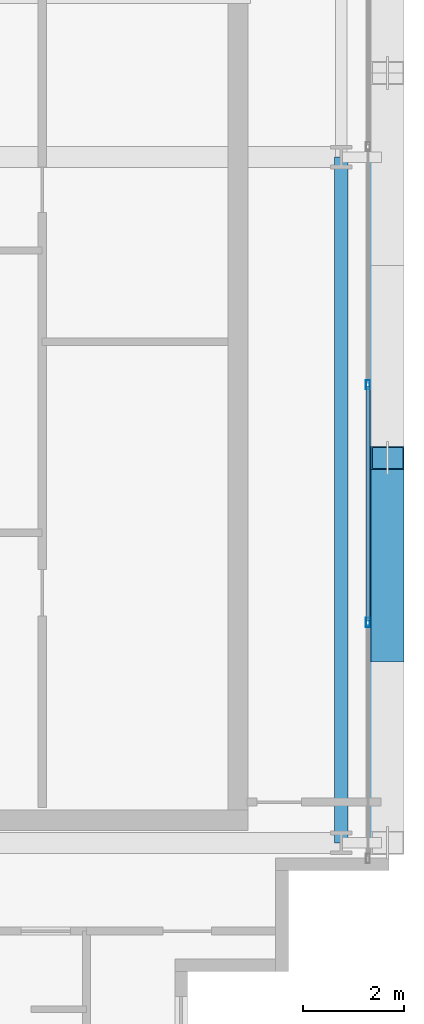
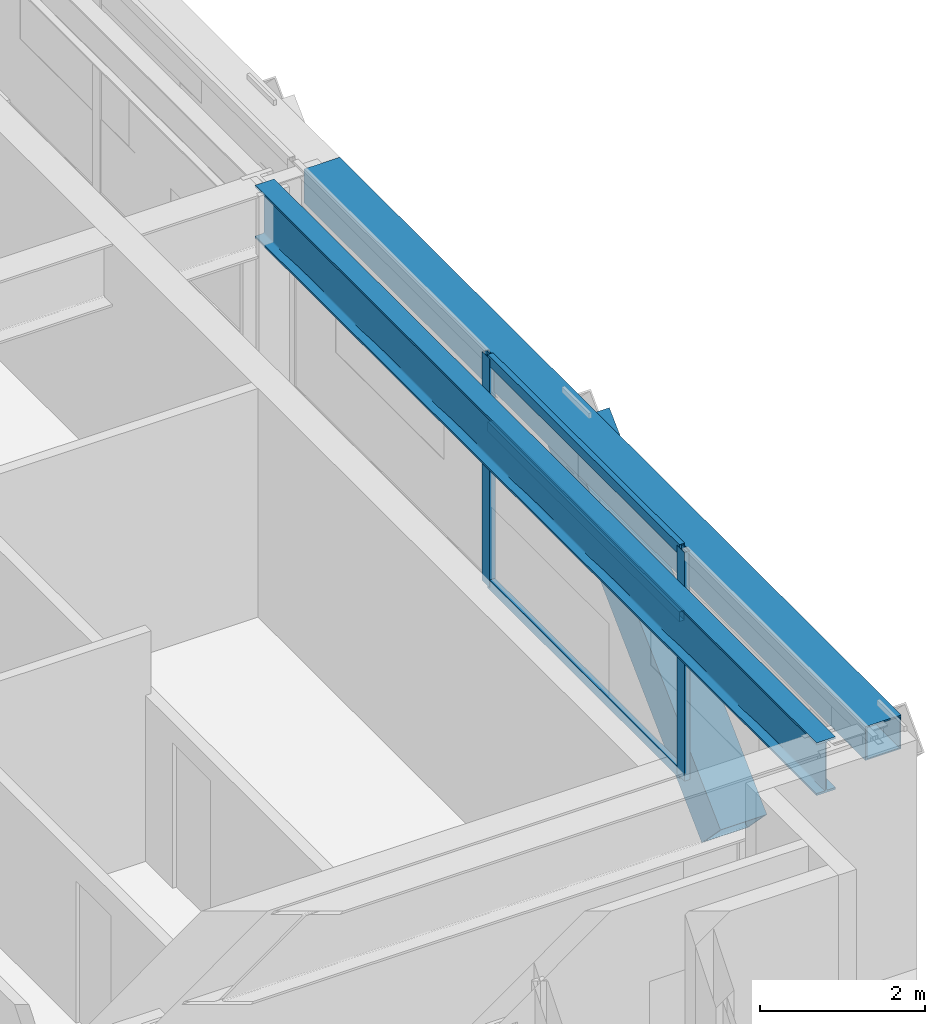
# One storey, part 12 of 29: 6 members, 2 beams, 1 element without a shape of its own.
"""IFC4 building model written with IfcOpenShell, lengths in metres."""

from ifc_helpers import new_model, si_unit, direction, frame, origin, origin_2d, place, context, subcontext, project, spatial, hollow_rectangle, i_section, extrude, source, transform, mapped, material, layer, layer_set, material_profile, profile_set, type_object, element, aggregate, save


model = new_model("IFC4")

# Units and contexts
model_context = context("Model", 3, precision=1e-05, world=origin(), true_north=direction((0.0, 1.0)))
body_context = subcontext(model_context, "Body", "Model", "MODEL_VIEW")
ifc_project = project(units=[si_unit("LENGTHUNIT", "METRE"), si_unit("AREAUNIT", "SQUARE_METRE"), si_unit("VOLUMEUNIT", "CUBIC_METRE"), si_unit("PLANEANGLEUNIT", "RADIAN"), si_unit("MASSUNIT", "GRAM", prefix="KILO")], contexts=[model_context])

# Site, building, storey
site_placement = place(None, origin())
site = spatial("IfcSite", under=ifc_project, at=site_placement, CompositionType="ELEMENT")
building_placement = place(site_placement, origin())
building = spatial("IfcBuilding", under=site, at=building_placement, Name="Ocotamira Hotel", CompositionType="ELEMENT")
storey_placement = place(building_placement, frame((0.0, 0.0, 247.199951171875)))
storey = spatial("IfcBuildingStorey", under=building, at=storey_placement, Name="L62", CompositionType="ELEMENT", Elevation=247.199951171875)

# Beams
ifc_material_1 = material(Name="Steel ASTM A992 Grade 50", Category="steel")
ifc_material_profile_1 = material_profile(ifc_material_1, i_section(OverallWidth=0.26611328125, OverallDepth=0.779052734375, WebThickness=0.0166015625, FlangeThickness=0.030029296875, FilletRadius=0.01806640625, at=origin_2d()), Name="W30X148")
ifc_profile_set_1 = profile_set([ifc_material_profile_1], Name="Steel ASTM A992 Grade 50")
beam_type_1 = type_object("IfcBeamType", Name="BM-GIRD-W30X148", PredefinedType="BEAM", material=ifc_profile_set_1)
shared_shape_1 = source(origin(), body_context, "Body", "SweptSolid", [
    extrude(i_section(OverallWidth=0.26611328125, OverallDepth=0.779052734375, WebThickness=0.0166015625, FlangeThickness=0.030029296875, FilletRadius=0.01806640625, at=origin_2d()), origin(), (0.0, 0.0, 1.0), 13.599853515625),
])
beam_1_placement = place(storey_placement, frame((55.050048828125, 14.550048828125, 2.990478515625), z_axis=(0.0, 1.0, 0.0), x_axis=(-1.0, 0.0, 0.0)))
element("IfcBeam", 1, at=beam_1_placement, inside=storey, type_object=beam_type_1, Name="L62 Beam X55.05 Y14.55-28.15", PredefinedType="BEAM", context=body_context, shape_type="MappedRepresentation", body=[
    mapped(shared_shape_1, transform((0.0, 0.0, 0.0), scale=1.0)),
])
ifc_material_2 = material(Name="Steel ASTM A500 Grade C", Category="steel")
ifc_material_profile_2 = material_profile(ifc_material_2, hollow_rectangle(XDim=0.5, YDim=0.5, WallThickness=0.02001953125, at=origin_2d()), Name="HSS500X500X20")
ifc_profile_set_2 = profile_set([ifc_material_profile_2], Name="Steel ASTM A500 Grade C")
beam_type_2 = type_object("IfcBeamType", Name="BM-SPAN-HSS500", PredefinedType="USERDEFINED", material=ifc_profile_set_2)
shared_shape_2 = source(origin(), body_context, "Body", "SweptSolid", [
    extrude(hollow_rectangle(XDim=0.5, YDim=0.5, WallThickness=0.02001953125, at=origin_2d()), origin(), (0.0, 0.0, 1.0), 13.599853515625),
])
beam_2_placement = place(storey_placement, frame((55.85009765625, 14.550048828125, 3.130126953125), z_axis=(0.0, 1.0, 0.0), x_axis=(-1.0, 0.0, 0.0)))
element("IfcBeam", 2, at=beam_2_placement, inside=storey, type_object=beam_type_2, Name="L62 Edge Spandrel E Y14.55-28.15", ObjectType="SPANDREL", PredefinedType="USERDEFINED", context=body_context, shape_type="MappedRepresentation", body=[
    mapped(shared_shape_2, transform((0.0, 0.0, 0.0), scale=1.0)),
])

# Member
ifc_material_3 = material(Name="Pale-metal coated steel ASTM A913 Grade 65", Category="steel")
ifc_material_profile_3 = material_profile(ifc_material_3, hollow_rectangle(XDim=0.64990234375, YDim=0.64990234375, WallThickness=0.02197265625, at=origin_2d()), Name="BOX650X650X22")
ifc_profile_set_3 = profile_set([ifc_material_profile_3], Name="Pale-metal coated steel ASTM A913 Grade 65")
member_type_1 = type_object("IfcMemberType", Name="MEM-EXO-BOX650", PredefinedType="BRACE", material=ifc_profile_set_3)
shared_shape_3 = source(origin(), body_context, "Body", "SweptSolid", [
    extrude(hollow_rectangle(XDim=0.64990234375, YDim=0.64990234375, WallThickness=0.02197265625, at=origin_2d()), origin(), (0.0, 0.0, 1.0), 5.31591796875),
])
member_1_placement = place(storey_placement, frame((55.969970703125, 18.36669921875, -0.570068359375), z_axis=(0.0, 0.717975506843, 0.696068367026), x_axis=(-1.0, 0.0, 0.0)))
element("IfcMember", 3, at=member_1_placement, inside=storey, type_object=member_type_1, Name="L62 Exoskeleton Diagrid E0.2", PredefinedType="BRACE", context=body_context, shape_type="MappedRepresentation", body=[
    mapped(shared_shape_3, transform((0.0, 0.0, 0.0), scale=1.0)),
])

# Curtain wall, members
ifc_material_4 = material(Name="Anodised pale-metal aluminium and solar glass", Category="aluminium")
ifc_layer = layer(ifc_material_4, 0.239990234375)
ifc_layer_set = layer_set([ifc_layer], Name="Anodised pale-metal aluminium and solar glass")
curtain_wall_type = type_object("IfcCurtainWallType", Name="CW-SYS5-SKY", PredefinedType="NOTDEFINED", material=ifc_layer_set)
curtain_wall_placement = place(storey_placement, origin())
curtain_wall = element("IfcCurtainWall", 4, at=curtain_wall_placement, inside=storey, type_object=curtain_wall_type, Name="L62 Curtain Wall CW-5 CW-L62-E", PredefinedType="NOTDEFINED")
ifc_material_5 = material(Name="Anodised pale-metal aluminium 6063-T6", Category="aluminium")
ifc_material_profile_4 = material_profile(ifc_material_5, hollow_rectangle(XDim=0.074951171875, YDim=0.14990234375, WallThickness=0.006103515625, at=origin_2d()), Name="HSS150X75X6")
ifc_profile_set_4 = profile_set([ifc_material_profile_4], Name="Anodised pale-metal aluminium 6063-T6")
member_type_2 = type_object("IfcMemberType", Name="CWT-150X75", PredefinedType="USERDEFINED", material=ifc_profile_set_4)
shared_shape_4 = source(origin(), body_context, "Body", "SweptSolid", [
    extrude(hollow_rectangle(XDim=0.074951171875, YDim=0.14990234375, WallThickness=0.006103515625, at=origin_2d()), origin(), (0.0, 0.0, 1.0), 4.64013671875),
])
member_2_placement = place(storey_placement, frame((55.580078125, 18.9599609375, 0.03759765625), z_axis=(0.0, 1.0, 0.0), x_axis=(-1.0, 0.0, 0.0)))
member_2 = element("IfcMember", 5, at=member_2_placement, type_object=member_type_2, Name="CW-5 transom 2.1", ObjectType="TRANSOM", PredefinedType="USERDEFINED", context=body_context, shape_type="MappedRepresentation", body=[
    mapped(shared_shape_4, transform((0.0, 0.0, 0.0), scale=1.0)),
])
member_3_placement = place(storey_placement, frame((55.580078125, 18.9599609375, 2.35009765625), z_axis=(0.0, 1.0, 0.0), x_axis=(-1.0, 0.0, 0.0)))
member_3 = element("IfcMember", 6, at=member_3_placement, type_object=member_type_2, Name="CW-5 transom 2.2", ObjectType="TRANSOM", PredefinedType="USERDEFINED", context=body_context, shape_type="MappedRepresentation", body=[
    mapped(shared_shape_4, transform((0.0, 0.0, 0.0), scale=1.0)),
])
member_4_placement = place(storey_placement, frame((55.580078125, 18.9599609375, 3.342529296875), z_axis=(0.0, 1.0, 0.0), x_axis=(-1.0, 0.0, 0.0)))
member_4 = element("IfcMember", 7, at=member_4_placement, type_object=member_type_2, Name="CW-5 transom 2.3", ObjectType="TRANSOM", PredefinedType="USERDEFINED", context=body_context, shape_type="MappedRepresentation", body=[
    mapped(shared_shape_4, transform((0.0, 0.0, 0.0), scale=1.0)),
])
ifc_material_profile_5 = material_profile(ifc_material_5, hollow_rectangle(XDim=0.080078125, YDim=0.179931640625, WallThickness=0.006103515625, at=origin_2d()), Name="HSS180X80X6")
ifc_profile_set_5 = profile_set([ifc_material_profile_5], Name="Anodised pale-metal aluminium 6063-T6")
member_type_3 = type_object("IfcMemberType", Name="CWM-180X75", PredefinedType="MULLION", material=ifc_profile_set_5)
shared_shape_5 = source(origin(), body_context, "Body", "SweptSolid", [
    extrude(hollow_rectangle(XDim=0.080078125, YDim=0.179931640625, WallThickness=0.006103515625, at=origin_2d()), origin(), (0.0, 0.0, 1.0), 3.380126953125),
])
member_5_placement = place(storey_placement, frame((55.580078125, 18.919921875, 0.0), z_axis=(0.0, 0.0, 1.0), x_axis=(-1.0, 0.0, 0.0)))
member_5 = element("IfcMember", 8, at=member_5_placement, type_object=member_type_3, Name="CW-5 mullion 2", PredefinedType="MULLION", context=body_context, shape_type="MappedRepresentation", body=[
    mapped(shared_shape_5, transform((0.0, 0.0, 0.0), scale=1.0)),
])
member_6_placement = place(storey_placement, frame((55.580078125, 23.639892578125, 0.0), z_axis=(0.0, 0.0, 1.0), x_axis=(-1.0, 0.0, 0.0)))
member_6 = element("IfcMember", 9, at=member_6_placement, type_object=member_type_3, Name="CW-5 mullion 3", PredefinedType="MULLION", context=body_context, shape_type="MappedRepresentation", body=[
    mapped(shared_shape_5, transform((0.0, 0.0, 0.0), scale=1.0)),
])
aggregate(curtain_wall, [member_5, member_6, member_2, member_3, member_4])

save(model, "model.ifc")
